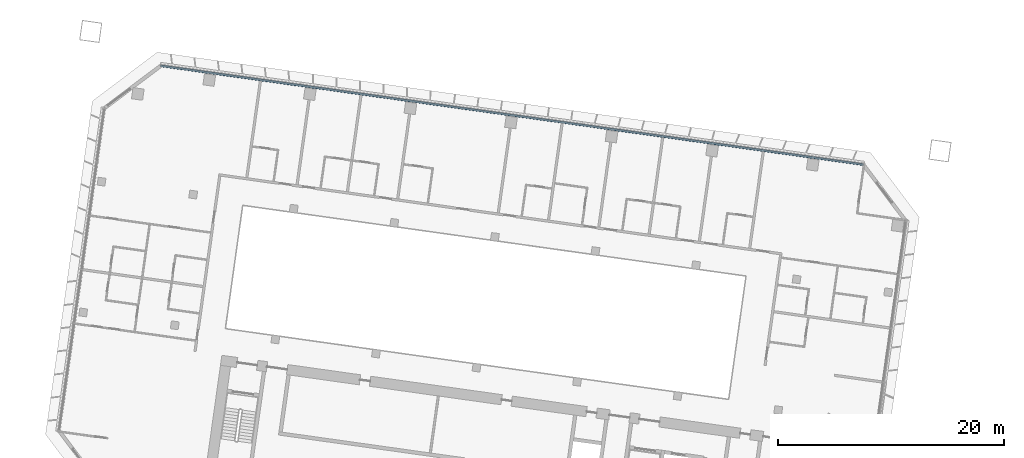
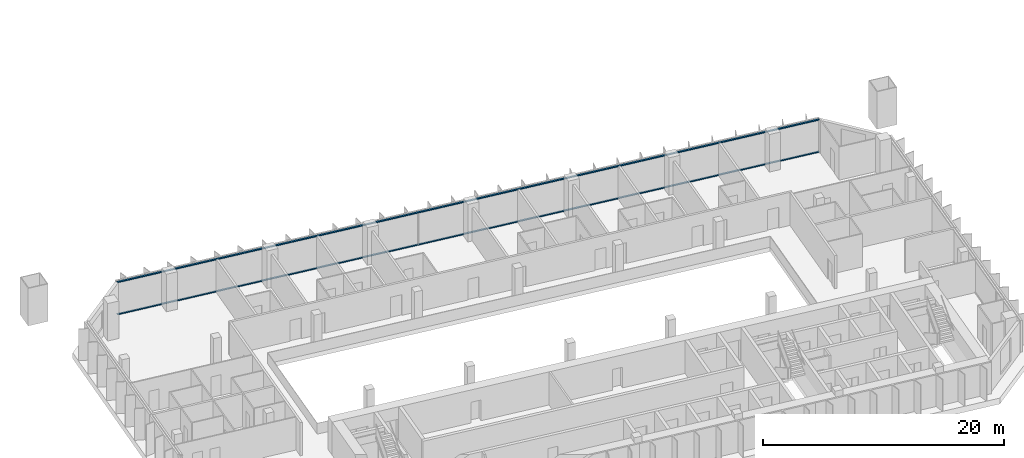
# One storey, part 4 of 24: 2 members, 1 element without a shape of its own.
"""IFC4 building model written with IfcOpenShell, lengths in metres."""

from ifc_helpers import new_model, si_unit, direction, frame, origin, origin_2d, place, context, subcontext, project, spatial, rectangle, extrude, material, material_profile, profile_set, type_object, element, aggregate, save


model = new_model("IFC4")

# Units and contexts
model_context = context("Model", 3, precision=1e-05, world=origin(), true_north=direction((0.0, 1.0)))
body_context = subcontext(model_context, "Body", "Model", "MODEL_VIEW")
ifc_project = project(units=[si_unit("LENGTHUNIT", "METRE"), si_unit("AREAUNIT", "SQUARE_METRE"), si_unit("VOLUMEUNIT", "CUBIC_METRE"), si_unit("PLANEANGLEUNIT", "RADIAN"), si_unit("MASSUNIT", "GRAM", prefix="KILO")], contexts=[model_context])

# Site, building, storey
site_placement = place(None, origin())
site = spatial("IfcSite", under=ifc_project, at=site_placement, CompositionType="ELEMENT")
building_placement = place(site_placement, origin())
building = spatial("IfcBuilding", under=site, at=building_placement, Name="Mirante Cascada Hotel Towers", CompositionType="ELEMENT")
storey_placement = place(building_placement, frame((0.0, 0.0, 47.1)))
storey = spatial("IfcBuildingStorey", under=building, at=storey_placement, Name="L08", CompositionType="ELEMENT", Elevation=47.1)

# Curtain wall, members
ifc_material_1 = material(Name="Aluminium mullion and transom frame with clear laminated glass", Category="aluminium")
curtain_wall_type = type_object("IfcCurtainWallType", Name="Ribbon curtain wall ECW1", PredefinedType="NOTDEFINED", material=ifc_material_1)
curtain_wall_placement = place(storey_placement, origin())
curtain_wall = element("IfcCurtainWall", 1, at=curtain_wall_placement, inside=storey, type_object=curtain_wall_type, Name="Front ribbon wall T1 L08", PredefinedType="NOTDEFINED")
ifc_material_2 = material(Name="Anodised aluminium extrusion", Category="aluminium")
ifc_material_profile = material_profile(ifc_material_2, rectangle(XDim=0.16, YDim=0.1, at=origin_2d()), Name="ECW1 TRANSOM 100x160")
ifc_profile_set = profile_set([ifc_material_profile], Name="Anodised aluminium extrusion")
member_type = type_object("IfcMemberType", Name="ECW1 transom 100x160", PredefinedType="USERDEFINED", material=ifc_profile_set)
member_1_placement = place(storey_placement, frame((-94.1582, 26.0521, 0.05), z_axis=(0.9902681, -0.1391728, 0.0), x_axis=(0.1391728, 0.9902681, 0.0)))
member_1 = element("IfcMember", 2, at=member_1_placement, type_object=member_type, Name="ECW1 sill transom", ObjectType="TRANSOM", PredefinedType="USERDEFINED", context=body_context, shape_type="SweptSolid", body=[
    extrude(rectangle(XDim=0.16, YDim=0.1, at=origin_2d()), origin(), (0.0, 0.0, 1.0), 62.8758),
])
member_2_placement = place(storey_placement, frame((-94.1582, 26.0521, 3.3), z_axis=(0.9902681, -0.1391728, 0.0), x_axis=(0.1391728, 0.9902681, 0.0)))
member_2 = element("IfcMember", 3, at=member_2_placement, type_object=member_type, Name="ECW1 head transom", ObjectType="TRANSOM", PredefinedType="USERDEFINED", context=body_context, shape_type="SweptSolid", body=[
    extrude(rectangle(XDim=0.16, YDim=0.1, at=origin_2d()), origin(), (0.0, 0.0, 1.0), 62.8758),
])
aggregate(curtain_wall, [member_1, member_2])

save(model, "model.ifc")
